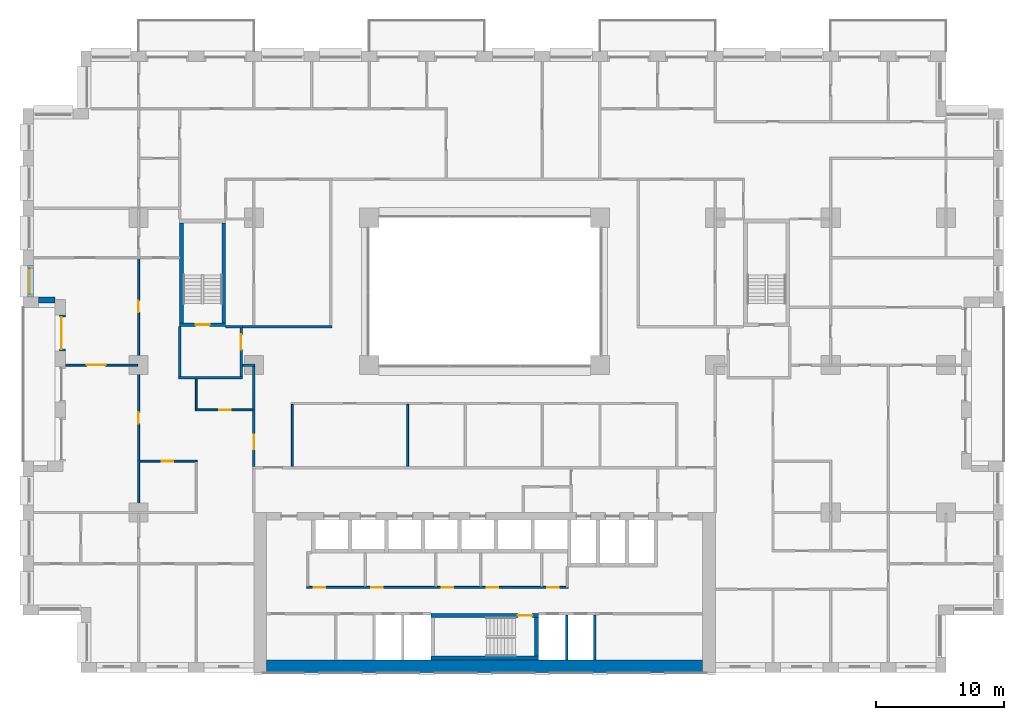
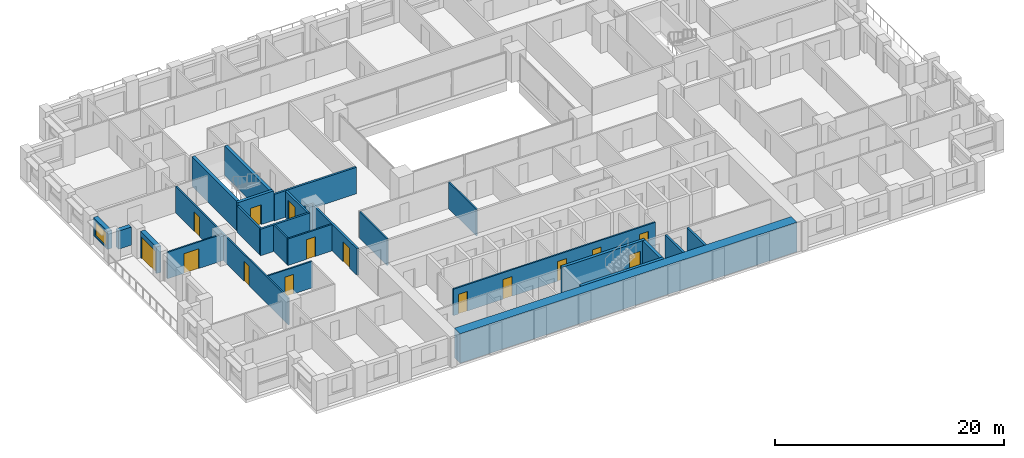
# One storey, part 10 of 21: 27 walls, 15 doors, 1 window, 16 openings.
"""IFC4 building model written with IfcOpenShell, lengths in metres."""

from ifc_helpers import new_model, si_unit, direction, frame, frame_2d, origin, place, context, subcontext, project, spatial, rectangle, extrude, material, layer, layer_set, type_object, element, fill, save


model = new_model("IFC4")

# Units and contexts
model_context = context("Model", 3, precision=1e-05, world=origin(), true_north=direction((0.0, 1.0)))
body_context = subcontext(model_context, "Body", "Model", "MODEL_VIEW")
ifc_project = project(units=[si_unit("LENGTHUNIT", "METRE"), si_unit("AREAUNIT", "SQUARE_METRE"), si_unit("VOLUMEUNIT", "CUBIC_METRE"), si_unit("PLANEANGLEUNIT", "RADIAN"), si_unit("MASSUNIT", "GRAM", prefix="KILO")], contexts=[model_context])

# Site, building, storey
site_placement = place(None, origin())
site = spatial("IfcSite", under=ifc_project, at=site_placement, CompositionType="ELEMENT")
building_placement = place(site_placement, origin())
building = spatial("IfcBuilding", under=site, at=building_placement, Name="Brigalow Station Residences", CompositionType="ELEMENT")
storey_placement = place(building_placement, frame((0.0, 0.0, 47.85009765625)))
storey = spatial("IfcBuildingStorey", under=building, at=storey_placement, Name="L13", CompositionType="ELEMENT", Elevation=47.85009765625)

# Wall, opening, window
ifc_material_1 = material(Name="Clay brick masonry", Category="masonry")
ifc_layer_1 = layer(ifc_material_1, 0.449951171875)
ifc_layer_set_1 = layer_set([ifc_layer_1], Name="BRICK INFILL WALL 450")
wall_type_1 = type_object("IfcWallType", Name="BRICK INFILL WALL 450", PredefinedType="SOLIDWALL", material=ifc_layer_set_1)
wall_1_placement = place(storey_placement, frame((0.574951171875, 31.77490234375, 0.89990234375), z_axis=(0.0, 0.0, 1.0), x_axis=(0.0, -1.0, 0.0)))
wall_1 = element("IfcWall", 1, at=wall_1_placement, inside=storey, type_object=wall_type_1, Name="L13/ewall/W-L13-45", PredefinedType="SOLIDWALL", context=body_context, shape_type="SweptSolid", body=[
    extrude(rectangle(XDim=2.474853515625, YDim=0.449951171875, at=frame_2d((1.2373046875, 0.0))), origin(), (0.0, 0.0, 1.0), 1.929931640625),
])
opening_1_placement = place(wall_1_placement, frame((0.237548828125, 0.0, 0.14990234375)))
opening_1 = element("IfcOpeningElement", 2, at=opening_1_placement, cuts=wall_1, Name="Opening WT-7", PredefinedType="OPENING", context=body_context, shape_type="SweptSolid", body=[
    extrude(rectangle(XDim=2.0, YDim=1.5, at=frame_2d((1.0, 0.75))), frame((0.0, 0.23486328125, 0.0), z_axis=(0.0, -1.0, 0.0), x_axis=(1.0, 0.0, 0.0)), (0.0, 0.0, 1.0), 0.469970703125),
])
ifc_material_2 = material(Name="Anodised aluminium frame with double glazing", Category="aluminium")
window_type = type_object("IfcWindowType", Name="WINDOW 2000x1500", PartitioningType="SINGLE_PANEL", PredefinedType="WINDOW", material=ifc_material_2)
window_placement = place(opening_1_placement, origin())
window = element("IfcWindow", 3, at=window_placement, inside=storey, type_object=window_type, Name="L13/window/W-L13-45", OverallHeight=1.5, OverallWidth=2.0, PartitioningType="SINGLE_PANEL", PredefinedType="WINDOW", context=body_context, shape_type="SweptSolid", body=[
    extrude(rectangle(XDim=2.0, YDim=1.5, at=frame_2d((1.0, 0.75))), frame((0.0, -0.06494140625, 0.0), z_axis=(0.0, -1.0, 0.0), x_axis=(1.0, 0.0, 0.0)), (0.0, 0.0, 1.0), 0.06005859375),
])
fill(opening_1, window)

# Wall
wall_2_placement = place(storey_placement, frame((1.199951171875, 29.074951171875, 0.89990234375), z_axis=(0.0, 0.0, 1.0), x_axis=(1.0, 0.0, 0.0)))
element("IfcWall", 4, at=wall_2_placement, inside=storey, type_object=wall_type_1, Name="L13/ewall/W-L13-46", PredefinedType="SOLIDWALL", context=body_context, shape_type="SweptSolid", body=[
    extrude(rectangle(XDim=1.300048828125, YDim=0.449951171875, at=frame_2d((0.64990234375, 0.0))), origin(), (0.0, 0.0, 1.0), 1.929931640625),
])

# Wall, opening, door
wall_3_placement = place(storey_placement, frame((3.074951171875, 27.89990234375, 0.0), z_axis=(0.0, 0.0, 1.0), x_axis=(0.0, -1.0, 0.0)))
wall_3 = element("IfcWall", 5, at=wall_3_placement, inside=storey, type_object=wall_type_1, Name="L13/ewall/W-L13-47", PredefinedType="SOLIDWALL", context=body_context, shape_type="SweptSolid", body=[
    extrude(rectangle(XDim=2.7998046875, YDim=0.449951171875, at=frame_2d((1.39990234375, 0.0))), origin(), (0.0, 0.0, 1.0), 2.829833984375),
])
opening_2_placement = place(wall_3_placement, frame((0.14990234375, 0.0, 0.0)))
opening_2 = element("IfcOpeningElement", 6, at=opening_2_placement, cuts=wall_3, Name="Opening D-B2500", PredefinedType="OPENING", context=body_context, shape_type="SweptSolid", body=[
    extrude(rectangle(XDim=2.5, YDim=2.300048828125, at=frame_2d((1.25, 1.14990234375))), frame((0.0, 0.23486328125, 0.0), z_axis=(0.0, -1.0, 0.0), x_axis=(1.0, 0.0, 0.0)), (0.0, 0.0, 1.0), 0.469970703125),
])
ifc_material_3 = material(Name="Anodised aluminium frame with double glazing", Category="aluminium")
door_type_1 = type_object("IfcDoorType", Name="BALCONY SLIDING DOOR 2500x2300", OperationType="SLIDING_TO_LEFT", PredefinedType="DOOR", material=ifc_material_3)
door_1_placement = place(opening_2_placement, origin())
door_1 = element("IfcDoor", 7, at=door_1_placement, inside=storey, type_object=door_type_1, Name="L13/balcony-door/W-L13-47", OperationType="SLIDING_TO_LEFT", OverallHeight=2.300048828125, OverallWidth=2.5, PredefinedType="DOOR", context=body_context, shape_type="SweptSolid", body=[
    extrude(rectangle(XDim=2.5, YDim=2.300048828125, at=frame_2d((1.25, 1.14990234375))), frame((0.0, -0.06982421875, 0.0), z_axis=(0.0, -1.0, 0.0), x_axis=(1.0, 0.0, 0.0)), (0.0, 0.0, 1.0), 0.050048828125),
])
fill(opening_2, door_1)

# Walls
ifc_material_4 = material(Name="Concrete C80", Category="concrete")
ifc_layer_2 = layer(ifc_material_4, 1.0)
ifc_layer_set_2 = layer_set([ifc_layer_2], Name="CORE SHEAR WALL 1000 C80")
wall_type_2 = type_object("IfcWallType", Name="CORE SHEAR WALL 1000 C80", PredefinedType="SHEAR", material=ifc_layer_set_2)
wall_4_placement = place(storey_placement, frame((19.0, 0.5, 0.0), z_axis=(0.0, 0.0, 1.0), x_axis=(1.0, 0.0, 0.0)))
element("IfcWall", 8, at=wall_4_placement, inside=storey, type_object=wall_type_2, Name="CORE WALL OUT-S L13", PredefinedType="SHEAR", context=body_context, shape_type="SweptSolid", body=[
    extrude(rectangle(XDim=34.0, YDim=1.0, at=frame_2d((17.0, 0.0))), origin(), (0.0, 0.0, 1.0), 3.14990234375),
])
ifc_material_5 = material(Name="Concrete C80", Category="concrete")
ifc_layer_3 = layer(ifc_material_5, 0.300048828125)
ifc_layer_set_3 = layer_set([ifc_layer_3], Name="CORE SHEAR WALL 300 C80")
wall_type_3 = type_object("IfcWallType", Name="CORE SHEAR WALL 300 C80", PredefinedType="SHEAR", material=ifc_layer_set_3)
wall_5_placement = place(storey_placement, frame((31.800048828125, 1.14990234375, 0.0), z_axis=(0.0, 0.0, 1.0), x_axis=(1.0, 0.0, 0.0)))
element("IfcWall", 9, at=wall_5_placement, inside=storey, type_object=wall_type_3, Name="CORE WALL ST-S2-S L13", PredefinedType="SHEAR", context=body_context, shape_type="SweptSolid", body=[
    extrude(rectangle(XDim=8.39990234375, YDim=0.300048828125, at=frame_2d((4.199951171875, 0.0))), origin(), (0.0, 0.0, 1.0), 3.14990234375),
])

# Wall, opening, door
wall_6_placement = place(storey_placement, frame((31.800048828125, 4.449951171875, 0.0), z_axis=(0.0, 0.0, 1.0), x_axis=(1.0, 0.0, 0.0)))
wall_6 = element("IfcWall", 10, at=wall_6_placement, inside=storey, type_object=wall_type_3, Name="CORE WALL ST-S2-N L13", PredefinedType="SHEAR", context=body_context, shape_type="SweptSolid", body=[
    extrude(rectangle(XDim=8.39990234375, YDim=0.300048828125, at=frame_2d((4.199951171875, 0.0))), origin(), (0.0, 0.0, 1.0), 3.14990234375),
])
opening_3_placement = place(wall_6_placement, frame((6.800048828125, 0.0, 0.0)))
opening_3 = element("IfcOpeningElement", 11, at=opening_3_placement, cuts=wall_6, Name="Opening D-5001", PredefinedType="OPENING", context=body_context, shape_type="SweptSolid", body=[
    extrude(rectangle(XDim=1.10009765625, YDim=2.10009765625, at=frame_2d((0.550048828125, 1.050048828125))), frame((0.0, 0.16015625, 0.0), z_axis=(0.0, -1.0, 0.0), x_axis=(1.0, 0.0, 0.0)), (0.0, 0.0, 1.0), 0.320068359375),
])
ifc_material_6 = material(Name="Steel fire door leaf in steel frame", Category="steel")
door_type_2 = type_object("IfcDoorType", Name="STAIR DOOR 1100 x 2100 FD60S", OperationType="SINGLE_SWING_LEFT", PredefinedType="DOOR", material=ifc_material_6)
door_2_placement = place(opening_3_placement, frame((1.10009765625, 0.0, 0.0), z_axis=(0.0, 0.0, 1.0), x_axis=(-1.0, 0.0, 0.0)))
door_2 = element("IfcDoor", 12, at=door_2_placement, inside=storey, type_object=door_type_2, Name="D-5001", OperationType="SINGLE_SWING_LEFT", OverallHeight=2.10009765625, OverallWidth=1.10009765625, PredefinedType="DOOR", context=body_context, shape_type="SweptSolid", body=[
    extrude(rectangle(XDim=1.10009765625, YDim=2.10009765625, at=frame_2d((0.550048828125, 1.050048828125))), frame((0.0, 0.02490234375, 0.0), z_axis=(0.0, -1.0, 0.0), x_axis=(1.0, 0.0, 0.0)), (0.0, 0.0, 1.0), 0.050048828125),
])
fill(opening_3, door_2)

# Wall
wall_7_placement = place(storey_placement, frame((40.050048828125, 1.300048828125, 0.0), z_axis=(0.0, 0.0, 1.0), x_axis=(0.0, 1.0, 0.0)))
element("IfcWall", 13, at=wall_7_placement, inside=storey, type_object=wall_type_3, Name="CORE WALL ST-S2-E L13", PredefinedType="SHEAR", context=body_context, shape_type="SweptSolid", body=[
    extrude(rectangle(XDim=3.0, YDim=0.300048828125, at=frame_2d((1.5, 0.0))), origin(), (0.0, 0.0, 1.0), 3.14990234375),
])

# Wall, opening, door
wall_8_placement = place(storey_placement, frame((12.199951171875, 27.14990234375, 0.0), z_axis=(0.0, 0.0, 1.0), x_axis=(1.0, 0.0, 0.0)))
wall_8 = element("IfcWall", 14, at=wall_8_placement, inside=storey, type_object=wall_type_3, Name="CORE WALL ST-S1-S L13", PredefinedType="SHEAR", context=body_context, shape_type="SweptSolid", body=[
    extrude(rectangle(XDim=3.60009765625, YDim=0.300048828125, at=frame_2d((1.800048828125, 0.0))), origin(), (0.0, 0.0, 1.0), 3.14990234375),
])
opening_4_placement = place(wall_8_placement, frame((1.25, 0.0, 0.0)))
opening_4 = element("IfcOpeningElement", 15, at=opening_4_placement, cuts=wall_8, Name="Opening D-5015", PredefinedType="OPENING", context=body_context, shape_type="SweptSolid", body=[
    extrude(rectangle(XDim=1.10009765625, YDim=2.10009765625, at=frame_2d((0.550048828125, 1.050048828125))), frame((0.0, 0.16015625, 0.0), z_axis=(0.0, -1.0, 0.0), x_axis=(1.0, 0.0, 0.0)), (0.0, 0.0, 1.0), 0.320068359375),
])
door_3_placement = place(opening_4_placement, origin())
door_3 = element("IfcDoor", 16, at=door_3_placement, inside=storey, type_object=door_type_2, Name="D-5015", OperationType="SINGLE_SWING_LEFT", OverallHeight=2.10009765625, OverallWidth=1.10009765625, PredefinedType="DOOR", context=body_context, shape_type="SweptSolid", body=[
    extrude(rectangle(XDim=1.10009765625, YDim=2.10009765625, at=frame_2d((0.550048828125, 1.050048828125))), frame((0.0, 0.02490234375, 0.0), z_axis=(0.0, -1.0, 0.0), x_axis=(1.0, 0.0, 0.0)), (0.0, 0.0, 1.0), 0.050048828125),
])
fill(opening_4, door_3)

# Walls
for number, where, z_axis, x_axis, name in (
    (17, (12.35009765625, 27.300048828125, 0.0), (0.0, 0.0, 1.0), (0.0, 1.0, 0.0), "CORE WALL ST-S1-W L13"),
    (18, (15.64990234375, 27.300048828125, 0.0), (0.0, 0.0, 1.0), (0.0, 1.0, 0.0), "CORE WALL ST-S1-E L13"),
):
    element("IfcWall", number, at=place(storey_placement, frame(where, z_axis=z_axis, x_axis=x_axis)), inside=storey, type_object=wall_type_3, Name=name, PredefinedType="SHEAR", context=body_context, shape_type="SweptSolid", body=[
        extrude(rectangle(XDim=7.800048828125, YDim=0.300048828125, at=frame_2d((3.89990234375, 0.0))), origin(), (0.0, 0.0, 1.0), 3.14990234375),
    ])
ifc_material_7 = material(Name="Concrete blockwork", Category="masonry")
ifc_layer_4 = layer(ifc_material_7, 0.199951171875)
ifc_layer_set_4 = layer_set([ifc_layer_4], Name="FIRE RATED CORE PARTITION 200")
wall_type_4 = type_object("IfcWallType", Name="FIRE RATED CORE PARTITION 200", PredefinedType="PARTITIONING", material=ifc_layer_set_4)
wall_9_placement = place(storey_placement, frame((12.10009765625, 23.0, 0.0), z_axis=(0.0, 0.0, 1.0), x_axis=(1.0, 0.0, 0.0)))
element("IfcWall", 19, at=wall_9_placement, inside=storey, type_object=wall_type_4, Name="PW-5023", PredefinedType="PARTITIONING", context=body_context, shape_type="SweptSolid", body=[
    extrude(rectangle(XDim=5.0, YDim=0.199951171875, at=frame_2d((2.5, 0.0))), origin(), (0.0, 0.0, 1.0), 2.829833984375),
])
wall_10_placement = place(storey_placement, frame((15.800048828125, 27.0, 0.0), z_axis=(0.0, 0.0, 1.0), x_axis=(1.0, 0.0, 0.0)))
element("IfcWall", 20, at=wall_10_placement, inside=storey, type_object=wall_type_4, Name="PW-5025", PredefinedType="PARTITIONING", context=body_context, shape_type="SweptSolid", body=[
    extrude(rectangle(XDim=1.300048828125, YDim=0.199951171875, at=frame_2d((0.64990234375, 0.0))), origin(), (0.0, 0.0, 1.0), 2.829833984375),
])
for number, where, z_axis, x_axis, name in (
    (21, (42.39990234375, 1.0, 0.0), (0.0, 0.0, 1.0), (0.0, 1.0, 0.0), "PW-5007"),
    (22, (44.60009765625, 1.0, 0.0), (0.0, 0.0, 1.0), (0.0, 1.0, 0.0), "PW-5008"),
):
    element("IfcWall", number, at=place(storey_placement, frame(where, z_axis=z_axis, x_axis=x_axis)), inside=storey, type_object=wall_type_4, Name=name, PredefinedType="PARTITIONING", context=body_context, shape_type="SweptSolid", body=[
        extrude(rectangle(XDim=3.5, YDim=0.199951171875, at=frame_2d((1.75, 0.0))), origin(), (0.0, 0.0, 1.0), 2.829833984375),
    ])
wall_11_placement = place(storey_placement, frame((12.199951171875, 23.10009765625, 0.0), z_axis=(0.0, 0.0, 1.0), x_axis=(0.0, 1.0, 0.0)))
element("IfcWall", 23, at=wall_11_placement, inside=storey, type_object=wall_type_4, Name="PW-5034", PredefinedType="PARTITIONING", context=body_context, shape_type="SweptSolid", body=[
    extrude(rectangle(XDim=3.89990234375, YDim=0.199951171875, at=frame_2d((1.949951171875, 0.0))), origin(), (0.0, 0.0, 1.0), 2.829833984375),
])

# Wall, opening, door
wall_12_placement = place(storey_placement, frame((17.0, 23.10009765625, 0.0), z_axis=(0.0, 0.0, 1.0), x_axis=(0.0, 1.0, 0.0)))
wall_12 = element("IfcWall", 24, at=wall_12_placement, inside=storey, type_object=wall_type_4, Name="PW-5035", PredefinedType="PARTITIONING", context=body_context, shape_type="SweptSolid", body=[
    extrude(rectangle(XDim=3.7998046875, YDim=0.199951171875, at=frame_2d((1.89990234375, 0.0))), origin(), (0.0, 0.0, 1.0), 2.829833984375),
])
opening_5_placement = place(wall_12_placement, frame((2.10009765625, 0.0, 0.0)))
opening_5 = element("IfcOpeningElement", 25, at=opening_5_placement, cuts=wall_12, Name="Opening D-5016", PredefinedType="OPENING", context=body_context, shape_type="SweptSolid", body=[
    extrude(rectangle(XDim=1.199951171875, YDim=2.10009765625, at=frame_2d((0.60009765625, 1.050048828125))), frame((0.0, 0.10986328125, 0.0), z_axis=(0.0, -1.0, 0.0), x_axis=(1.0, 0.0, 0.0)), (0.0, 0.0, 1.0), 0.219970703125),
])
ifc_material_8 = material(Name="Steel fire door leaf in steel frame", Category="steel")
door_type_3 = type_object("IfcDoorType", Name="STAIR LOBBY DOOR 1200 x 2100 FD60S", OperationType="SINGLE_SWING_LEFT", PredefinedType="DOOR", material=ifc_material_8)
door_4_placement = place(opening_5_placement, origin())
door_4 = element("IfcDoor", 26, at=door_4_placement, inside=storey, type_object=door_type_3, Name="D-5016", OperationType="SINGLE_SWING_RIGHT", OverallHeight=2.10009765625, OverallWidth=1.199951171875, PredefinedType="DOOR", context=body_context, shape_type="SweptSolid", body=[
    extrude(rectangle(XDim=1.199951171875, YDim=2.10009765625, at=frame_2d((0.60009765625, 1.050048828125))), frame((0.0, 0.02490234375, 0.0), z_axis=(0.0, -1.0, 0.0), x_axis=(1.0, 0.0, 0.0)), (0.0, 0.0, 1.0), 0.050048828125),
])
fill(opening_5, door_4)

ifc_material_9 = material(Name="Plasterboard on steel stud partition", Category="steel")
ifc_layer_5 = layer(ifc_material_9, 0.14990234375)
ifc_layer_set_5 = layer_set([ifc_layer_5], Name="FLAT PARTITION 150")
wall_type_5 = type_object("IfcWallType", Name="FLAT PARTITION 150", PredefinedType="PARTITIONING", material=ifc_layer_set_5)
wall_13_placement = place(storey_placement, frame((3.300048828125, 24.0, 0.0), z_axis=(0.0, 0.0, 1.0), x_axis=(1.0, 0.0, 0.0)))
wall_13 = element("IfcWall", 27, at=wall_13_placement, inside=storey, type_object=wall_type_5, Name="PW-1D02", PredefinedType="PARTITIONING", context=body_context, shape_type="SweptSolid", body=[
    extrude(rectangle(XDim=5.625, YDim=0.14990234375, at=frame_2d((2.8125, 0.0))), origin(), (0.0, 0.0, 1.0), 2.829833984375),
])
opening_6_placement = place(wall_13_placement, frame((1.64990234375, 0.0, 0.0)))
opening_6 = element("IfcOpeningElement", 28, at=opening_6_placement, cuts=wall_13, Name="Opening D-1D08", PredefinedType="OPENING", context=body_context, shape_type="SweptSolid", body=[
    extrude(rectangle(XDim=1.5, YDim=2.10009765625, at=frame_2d((0.75, 1.050048828125))), frame((0.0, 0.0849609375, 0.0), z_axis=(0.0, -1.0, 0.0), x_axis=(1.0, 0.0, 0.0)), (0.0, 0.0, 1.0), 0.169921875),
])
ifc_material_10 = material(Name="Solid-core timber door leaf", Category="wood")
door_type_4 = type_object("IfcDoorType", Name="INTERNAL DOUBLE DOOR 1500 x 2100", OperationType="DOUBLE_DOOR_SINGLE_SWING", PredefinedType="DOOR", material=ifc_material_10)
door_5_placement = place(opening_6_placement, origin())
door_5 = element("IfcDoor", 29, at=door_5_placement, inside=storey, type_object=door_type_4, Name="D-1D08", OperationType="DOUBLE_DOOR_SINGLE_SWING", OverallHeight=2.10009765625, OverallWidth=1.5, PredefinedType="DOOR", context=body_context, shape_type="SweptSolid", body=[
    extrude(rectangle(XDim=1.5, YDim=2.10009765625, at=frame_2d((0.75, 1.050048828125))), frame((0.0, 0.02490234375, 0.0), z_axis=(0.0, -1.0, 0.0), x_axis=(1.0, 0.0, 0.0)), (0.0, 0.0, 1.0), 0.050048828125),
])
fill(opening_6, door_5)

wall_14_placement = place(storey_placement, frame((13.425048828125, 20.5, 0.0), z_axis=(0.0, 0.0, 1.0), x_axis=(1.0, 0.0, 0.0)))
wall_14 = element("IfcWall", 30, at=wall_14_placement, inside=storey, type_object=wall_type_5, Name="PW-1D15", PredefinedType="PARTITIONING", context=body_context, shape_type="SweptSolid", body=[
    extrude(rectangle(XDim=4.474853515625, YDim=0.14990234375, at=frame_2d((2.2373046875, 0.0))), origin(), (0.0, 0.0, 1.0), 2.829833984375),
])
opening_7_placement = place(wall_14_placement, frame((1.875, 0.0, 0.0)))
opening_7 = element("IfcOpeningElement", 31, at=opening_7_placement, cuts=wall_14, Name="Opening D-1D14", PredefinedType="OPENING", context=body_context, shape_type="SweptSolid", body=[
    extrude(rectangle(XDim=0.89990234375, YDim=2.10009765625, at=frame_2d((0.449951171875, 1.050048828125))), frame((0.0, 0.0849609375, 0.0), z_axis=(0.0, -1.0, 0.0), x_axis=(1.0, 0.0, 0.0)), (0.0, 0.0, 1.0), 0.169921875),
])
ifc_material_11 = material(Name="Solid-core timber door leaf", Category="wood")
door_type_5 = type_object("IfcDoorType", Name="INTERNAL DOOR 900 x 2100", OperationType="SINGLE_SWING_LEFT", PredefinedType="DOOR", material=ifc_material_11)
door_6_placement = place(opening_7_placement, origin())
door_6 = element("IfcDoor", 32, at=door_6_placement, inside=storey, type_object=door_type_5, Name="D-1D14", OperationType="SINGLE_SWING_RIGHT", OverallHeight=2.10009765625, OverallWidth=0.89990234375, PredefinedType="DOOR", context=body_context, shape_type="SweptSolid", body=[
    extrude(rectangle(XDim=0.89990234375, YDim=2.10009765625, at=frame_2d((0.449951171875, 1.050048828125))), frame((0.0, 0.02490234375, 0.0), z_axis=(0.0, -1.0, 0.0), x_axis=(1.0, 0.0, 0.0)), (0.0, 0.0, 1.0), 0.050048828125),
])
fill(opening_7, door_6)

wall_15_placement = place(storey_placement, frame((9.074951171875, 16.5, 0.0), z_axis=(0.0, 0.0, 1.0), x_axis=(1.0, 0.0, 0.0)))
wall_15 = element("IfcWall", 33, at=wall_15_placement, inside=storey, type_object=wall_type_5, Name="PW-1D16", PredefinedType="PARTITIONING", context=body_context, shape_type="SweptSolid", body=[
    extrude(rectangle(XDim=4.5, YDim=0.14990234375, at=frame_2d((2.25, 0.0))), origin(), (0.0, 0.0, 1.0), 2.829833984375),
])
opening_8_placement = place(wall_15_placement, frame((1.72509765625, 0.0, 0.0)))
opening_8 = element("IfcOpeningElement", 34, at=opening_8_placement, cuts=wall_15, Name="Opening D-1D03", PredefinedType="OPENING", context=body_context, shape_type="SweptSolid", body=[
    extrude(rectangle(XDim=0.89990234375, YDim=2.10009765625, at=frame_2d((0.449951171875, 1.050048828125))), frame((0.0, 0.0849609375, 0.0), z_axis=(0.0, -1.0, 0.0), x_axis=(1.0, 0.0, 0.0)), (0.0, 0.0, 1.0), 0.169921875),
])
door_7_placement = place(opening_8_placement, frame((0.89990234375, 0.0, 0.0), z_axis=(0.0, 0.0, 1.0), x_axis=(-1.0, 0.0, 0.0)))
door_7 = element("IfcDoor", 35, at=door_7_placement, inside=storey, type_object=door_type_5, Name="D-1D03", OperationType="SINGLE_SWING_LEFT", OverallHeight=2.10009765625, OverallWidth=0.89990234375, PredefinedType="DOOR", context=body_context, shape_type="SweptSolid", body=[
    extrude(rectangle(XDim=0.89990234375, YDim=2.10009765625, at=frame_2d((0.449951171875, 1.050048828125))), frame((0.0, 0.02490234375, 0.0), z_axis=(0.0, -1.0, 0.0), x_axis=(1.0, 0.0, 0.0)), (0.0, 0.0, 1.0), 0.050048828125),
])
fill(opening_8, door_7)

# Wall
wall_16_placement = place(storey_placement, frame((21.0, 16.10009765625, 0.0), z_axis=(0.0, 0.0, 1.0), x_axis=(0.0, 1.0, 0.0)))
element("IfcWall", 36, at=wall_16_placement, inside=storey, type_object=wall_type_5, Name="PW-1D42", PredefinedType="PARTITIONING", context=body_context, shape_type="SweptSolid", body=[
    extrude(rectangle(XDim=4.824951171875, YDim=0.14990234375, at=frame_2d((2.41259765625, 0.0))), origin(), (0.0, 0.0, 1.0), 2.829833984375),
])

# Wall, openings, doors
wall_17_placement = place(storey_placement, frame((9.0, 12.574951171875, 0.0), z_axis=(0.0, 0.0, 1.0), x_axis=(0.0, 1.0, 0.0)))
wall_17 = element("IfcWall", 37, at=wall_17_placement, inside=storey, type_object=wall_type_5, Name="PW-1D48", PredefinedType="PARTITIONING", context=body_context, shape_type="SweptSolid", body=[
    extrude(rectangle(XDim=19.72509765625, YDim=0.14990234375, at=frame_2d((9.862548828125, 0.0))), origin(), (0.0, 0.0, 1.0), 2.829833984375),
])
opening_9_placement = place(wall_17_placement, frame((15.537109375, 0.0, 0.0)))
opening_9 = element("IfcOpeningElement", 38, at=opening_9_placement, cuts=wall_17, Name="Opening D-1D07", PredefinedType="OPENING", context=body_context, shape_type="SweptSolid", body=[
    extrude(rectangle(XDim=0.89990234375, YDim=2.10009765625, at=frame_2d((0.449951171875, 1.050048828125))), frame((0.0, 0.0849609375, 0.0), z_axis=(0.0, -1.0, 0.0), x_axis=(1.0, 0.0, 0.0)), (0.0, 0.0, 1.0), 0.169921875),
])
opening_10_placement = place(wall_17_placement, frame((6.85009765625, 0.0, 0.0)))
opening_10 = element("IfcOpeningElement", 39, at=opening_10_placement, cuts=wall_17, Name="Opening D-1D13", PredefinedType="OPENING", context=body_context, shape_type="SweptSolid", body=[
    extrude(rectangle(XDim=0.89990234375, YDim=2.10009765625, at=frame_2d((0.449951171875, 1.050048828125))), frame((0.0, 0.0849609375, 0.0), z_axis=(0.0, -1.0, 0.0), x_axis=(1.0, 0.0, 0.0)), (0.0, 0.0, 1.0), 0.169921875),
])
door_8_placement = place(opening_9_placement, origin())
door_8 = element("IfcDoor", 40, at=door_8_placement, inside=storey, type_object=door_type_5, Name="D-1D07", OperationType="SINGLE_SWING_RIGHT", OverallHeight=2.10009765625, OverallWidth=0.89990234375, PredefinedType="DOOR", context=body_context, shape_type="SweptSolid", body=[
    extrude(rectangle(XDim=0.89990234375, YDim=2.10009765625, at=frame_2d((0.449951171875, 1.050048828125))), frame((0.0, 0.02490234375, 0.0), z_axis=(0.0, -1.0, 0.0), x_axis=(1.0, 0.0, 0.0)), (0.0, 0.0, 1.0), 0.050048828125),
])
fill(opening_9, door_8)
door_9_placement = place(opening_10_placement, origin())
door_9 = element("IfcDoor", 41, at=door_9_placement, inside=storey, type_object=door_type_5, Name="D-1D13", OperationType="SINGLE_SWING_RIGHT", OverallHeight=2.10009765625, OverallWidth=0.89990234375, PredefinedType="DOOR", context=body_context, shape_type="SweptSolid", body=[
    extrude(rectangle(XDim=0.89990234375, YDim=2.10009765625, at=frame_2d((0.449951171875, 1.050048828125))), frame((0.0, 0.02490234375, 0.0), z_axis=(0.0, -1.0, 0.0), x_axis=(1.0, 0.0, 0.0)), (0.0, 0.0, 1.0), 0.050048828125),
])
fill(opening_10, door_9)

# Walls
wall_18_placement = place(storey_placement, frame((13.5, 20.574951171875, 0.0), z_axis=(0.0, 0.0, 1.0), x_axis=(0.0, 1.0, 0.0)))
element("IfcWall", 42, at=wall_18_placement, inside=storey, type_object=wall_type_5, Name="PW-1D54", PredefinedType="PARTITIONING", context=body_context, shape_type="SweptSolid", body=[
    extrude(rectangle(XDim=2.324951171875, YDim=0.14990234375, at=frame_2d((1.16259765625, 0.0))), origin(), (0.0, 0.0, 1.0), 2.829833984375),
])
wall_19_placement = place(storey_placement, frame((30.0, 16.10009765625, 0.0), z_axis=(0.0, 0.0, 1.0), x_axis=(0.0, 1.0, 0.0)))
element("IfcWall", 43, at=wall_19_placement, inside=storey, type_object=wall_type_5, Name="PW-1D84", PredefinedType="PARTITIONING", context=body_context, shape_type="SweptSolid", body=[
    extrude(rectangle(XDim=4.824951171875, YDim=0.14990234375, at=frame_2d((2.41259765625, 0.0))), origin(), (0.0, 0.0, 1.0), 2.829833984375),
])
ifc_material_12 = material(Name="Plasterboard on steel stud partition", Category="steel")
ifc_layer_6 = layer(ifc_material_12, 0.199951171875)
ifc_layer_set_6 = layer_set([ifc_layer_6], Name="PARTY AND CORRIDOR WALL 200")
wall_type_6 = type_object("IfcWallType", Name="PARTY AND CORRIDOR WALL 200", PredefinedType="PARTITIONING", material=ifc_layer_set_6)
wall_20_placement = place(storey_placement, frame((17.10009765625, 24.0, 0.0), z_axis=(0.0, 0.0, 1.0), x_axis=(1.0, 0.0, 0.0)))
element("IfcWall", 44, at=wall_20_placement, inside=storey, type_object=wall_type_6, Name="PW-1D04", PredefinedType="PARTITIONING", context=body_context, shape_type="SweptSolid", body=[
    extrude(rectangle(XDim=1.0, YDim=0.199951171875, at=frame_2d((0.5, 0.0))), origin(), (0.0, 0.0, 1.0), 2.829833984375),
])
wall_21_placement = place(storey_placement, frame((17.10009765625, 27.0, 0.0), z_axis=(0.0, 0.0, 1.0), x_axis=(1.0, 0.0, 0.0)))
element("IfcWall", 45, at=wall_21_placement, inside=storey, type_object=wall_type_6, Name="PW-1D06", PredefinedType="PARTITIONING", context=body_context, shape_type="SweptSolid", body=[
    extrude(rectangle(XDim=7.0, YDim=0.199951171875, at=frame_2d((3.5, 0.0))), origin(), (0.0, 0.0, 1.0), 2.829833984375),
])

# Wall, opening, door
wall_22_placement = place(storey_placement, frame((18.0, 16.10009765625, 0.0), z_axis=(0.0, 0.0, 1.0), x_axis=(0.0, 1.0, 0.0)))
wall_22 = element("IfcWall", 46, at=wall_22_placement, inside=storey, type_object=wall_type_6, Name="PW-1D38", PredefinedType="PARTITIONING", context=body_context, shape_type="SweptSolid", body=[
    extrude(rectangle(XDim=7.7998046875, YDim=0.199951171875, at=frame_2d((3.89990234375, 0.0))), origin(), (0.0, 0.0, 1.0), 2.829833984375),
])
opening_11_placement = place(wall_22_placement, frame((1.35009765625, 0.0, 0.0)))
opening_11 = element("IfcOpeningElement", 47, at=opening_11_placement, cuts=wall_22, Name="Opening D-1D17", PredefinedType="OPENING", context=body_context, shape_type="SweptSolid", body=[
    extrude(rectangle(XDim=1.10009765625, YDim=2.10009765625, at=frame_2d((0.550048828125, 1.050048828125))), frame((0.0, 0.10986328125, 0.0), z_axis=(0.0, -1.0, 0.0), x_axis=(1.0, 0.0, 0.0)), (0.0, 0.0, 1.0), 0.219970703125),
])
ifc_material_13 = material(Name="Solid-core timber door leaf", Category="wood")
door_type_6 = type_object("IfcDoorType", Name="FLAT ENTRANCE DOOR 1100 x 2100 FRL -/60/30", OperationType="SINGLE_SWING_LEFT", PredefinedType="DOOR", material=ifc_material_13)
door_10_placement = place(opening_11_placement, origin())
door_10 = element("IfcDoor", 48, at=door_10_placement, inside=storey, type_object=door_type_6, Name="D-1D17", OperationType="SINGLE_SWING_RIGHT", OverallHeight=2.10009765625, OverallWidth=1.10009765625, PredefinedType="DOOR", context=body_context, shape_type="SweptSolid", body=[
    extrude(rectangle(XDim=1.10009765625, YDim=2.10009765625, at=frame_2d((0.550048828125, 1.050048828125))), frame((0.0, 0.02490234375, 0.0), z_axis=(0.0, -1.0, 0.0), x_axis=(1.0, 0.0, 0.0)), (0.0, 0.0, 1.0), 0.050048828125),
])
fill(opening_11, door_10)

# Wall, openings, doors
ifc_material_14 = material(Name="Plasterboard on steel studs", Category="steel")
ifc_layer_7 = layer(ifc_material_14, 0.14990234375)
ifc_layer_set_7 = layer_set([ifc_layer_7], Name="SERVICE ROOM PARTITION 150")
wall_type_7 = type_object("IfcWallType", Name="SERVICE ROOM PARTITION 150", PredefinedType="PARTITIONING", material=ifc_layer_set_7)
wall_23_placement = place(storey_placement, frame((22.125, 6.64990234375, 0.0), z_axis=(0.0, 0.0, 1.0), x_axis=(1.0, 0.0, 0.0)))
wall_23 = element("IfcWall", 49, at=wall_23_placement, inside=storey, type_object=wall_type_7, Name="PW-5021", PredefinedType="PARTITIONING", context=body_context, shape_type="SweptSolid", body=[
    extrude(rectangle(XDim=20.39990234375, YDim=0.14990234375, at=frame_2d((10.199951171875, 0.0))), origin(), (0.0, 0.0, 1.0), 2.829833984375),
])
opening_12_placement = place(wall_23_placement, frame((0.52490234375, 0.0, 0.0)))
opening_12 = element("IfcOpeningElement", 50, at=opening_12_placement, cuts=wall_23, Name="Opening D-5021", PredefinedType="OPENING", context=body_context, shape_type="SweptSolid", body=[
    extrude(rectangle(XDim=0.89990234375, YDim=2.10009765625, at=frame_2d((0.449951171875, 1.050048828125))), frame((0.0, 0.0849609375, 0.0), z_axis=(0.0, -1.0, 0.0), x_axis=(1.0, 0.0, 0.0)), (0.0, 0.0, 1.0), 0.169921875),
])
opening_13_placement = place(wall_23_placement, frame((5.02490234375, 0.0, 0.0)))
opening_13 = element("IfcOpeningElement", 51, at=opening_13_placement, cuts=wall_23, Name="Opening D-5031", PredefinedType="OPENING", context=body_context, shape_type="SweptSolid", body=[
    extrude(rectangle(XDim=0.89990234375, YDim=2.10009765625, at=frame_2d((0.449951171875, 1.050048828125))), frame((0.0, 0.0849609375, 0.0), z_axis=(0.0, -1.0, 0.0), x_axis=(1.0, 0.0, 0.0)), (0.0, 0.0, 1.0), 0.169921875),
])
opening_14_placement = place(wall_23_placement, frame((10.52490234375, 0.0, 0.0)))
opening_14 = element("IfcOpeningElement", 52, at=opening_14_placement, cuts=wall_23, Name="Opening D-5032", PredefinedType="OPENING", context=body_context, shape_type="SweptSolid", body=[
    extrude(rectangle(XDim=0.89990234375, YDim=2.10009765625, at=frame_2d((0.449951171875, 1.050048828125))), frame((0.0, 0.0849609375, 0.0), z_axis=(0.0, -1.0, 0.0), x_axis=(1.0, 0.0, 0.0)), (0.0, 0.0, 1.0), 0.169921875),
])
opening_15_placement = place(wall_23_placement, frame((14.02490234375, 0.0, 0.0)))
opening_15 = element("IfcOpeningElement", 53, at=opening_15_placement, cuts=wall_23, Name="Opening D-5033", PredefinedType="OPENING", context=body_context, shape_type="SweptSolid", body=[
    extrude(rectangle(XDim=0.89990234375, YDim=2.10009765625, at=frame_2d((0.449951171875, 1.050048828125))), frame((0.0, 0.0849609375, 0.0), z_axis=(0.0, -1.0, 0.0), x_axis=(1.0, 0.0, 0.0)), (0.0, 0.0, 1.0), 0.169921875),
])
opening_16_placement = place(wall_23_placement, frame((18.77490234375, 0.0, 0.0)))
opening_16 = element("IfcOpeningElement", 54, at=opening_16_placement, cuts=wall_23, Name="Opening D-5034", PredefinedType="OPENING", context=body_context, shape_type="SweptSolid", body=[
    extrude(rectangle(XDim=0.89990234375, YDim=2.10009765625, at=frame_2d((0.449951171875, 1.050048828125))), frame((0.0, 0.0849609375, 0.0), z_axis=(0.0, -1.0, 0.0), x_axis=(1.0, 0.0, 0.0)), (0.0, 0.0, 1.0), 0.169921875),
])
ifc_material_15 = material(Name="Steel door leaf in steel frame", Category="steel")
door_type_7 = type_object("IfcDoorType", Name="SERVICE ROOM DOOR 900 x 2100 FD60", OperationType="SINGLE_SWING_LEFT", PredefinedType="DOOR", material=ifc_material_15)
door_11_placement = place(opening_12_placement, origin())
door_11 = element("IfcDoor", 55, at=door_11_placement, inside=storey, type_object=door_type_7, Name="D-5021", OperationType="SINGLE_SWING_LEFT", OverallHeight=2.10009765625, OverallWidth=0.89990234375, PredefinedType="DOOR", context=body_context, shape_type="SweptSolid", body=[
    extrude(rectangle(XDim=0.89990234375, YDim=2.10009765625, at=frame_2d((0.449951171875, 1.050048828125))), frame((0.0, 0.02490234375, 0.0), z_axis=(0.0, -1.0, 0.0), x_axis=(1.0, 0.0, 0.0)), (0.0, 0.0, 1.0), 0.050048828125),
])
fill(opening_12, door_11)
door_12_placement = place(opening_13_placement, origin())
door_12 = element("IfcDoor", 56, at=door_12_placement, inside=storey, type_object=door_type_7, Name="D-5031", OperationType="SINGLE_SWING_LEFT", OverallHeight=2.10009765625, OverallWidth=0.89990234375, PredefinedType="DOOR", context=body_context, shape_type="SweptSolid", body=[
    extrude(rectangle(XDim=0.89990234375, YDim=2.10009765625, at=frame_2d((0.449951171875, 1.050048828125))), frame((0.0, 0.02490234375, 0.0), z_axis=(0.0, -1.0, 0.0), x_axis=(1.0, 0.0, 0.0)), (0.0, 0.0, 1.0), 0.050048828125),
])
fill(opening_13, door_12)
door_13_placement = place(opening_14_placement, origin())
door_13 = element("IfcDoor", 57, at=door_13_placement, inside=storey, type_object=door_type_7, Name="D-5032", OperationType="SINGLE_SWING_LEFT", OverallHeight=2.10009765625, OverallWidth=0.89990234375, PredefinedType="DOOR", context=body_context, shape_type="SweptSolid", body=[
    extrude(rectangle(XDim=0.89990234375, YDim=2.10009765625, at=frame_2d((0.449951171875, 1.050048828125))), frame((0.0, 0.02490234375, 0.0), z_axis=(0.0, -1.0, 0.0), x_axis=(1.0, 0.0, 0.0)), (0.0, 0.0, 1.0), 0.050048828125),
])
fill(opening_14, door_13)
door_14_placement = place(opening_15_placement, origin())
door_14 = element("IfcDoor", 58, at=door_14_placement, inside=storey, type_object=door_type_7, Name="D-5033", OperationType="SINGLE_SWING_LEFT", OverallHeight=2.10009765625, OverallWidth=0.89990234375, PredefinedType="DOOR", context=body_context, shape_type="SweptSolid", body=[
    extrude(rectangle(XDim=0.89990234375, YDim=2.10009765625, at=frame_2d((0.449951171875, 1.050048828125))), frame((0.0, 0.02490234375, 0.0), z_axis=(0.0, -1.0, 0.0), x_axis=(1.0, 0.0, 0.0)), (0.0, 0.0, 1.0), 0.050048828125),
])
fill(opening_15, door_14)
door_15_placement = place(opening_16_placement, origin())
door_15 = element("IfcDoor", 59, at=door_15_placement, inside=storey, type_object=door_type_7, Name="D-5034", OperationType="SINGLE_SWING_LEFT", OverallHeight=2.10009765625, OverallWidth=0.89990234375, PredefinedType="DOOR", context=body_context, shape_type="SweptSolid", body=[
    extrude(rectangle(XDim=0.89990234375, YDim=2.10009765625, at=frame_2d((0.449951171875, 1.050048828125))), frame((0.0, 0.02490234375, 0.0), z_axis=(0.0, -1.0, 0.0), x_axis=(1.0, 0.0, 0.0)), (0.0, 0.0, 1.0), 0.050048828125),
])
fill(opening_16, door_15)

save(model, "model.ifc")
